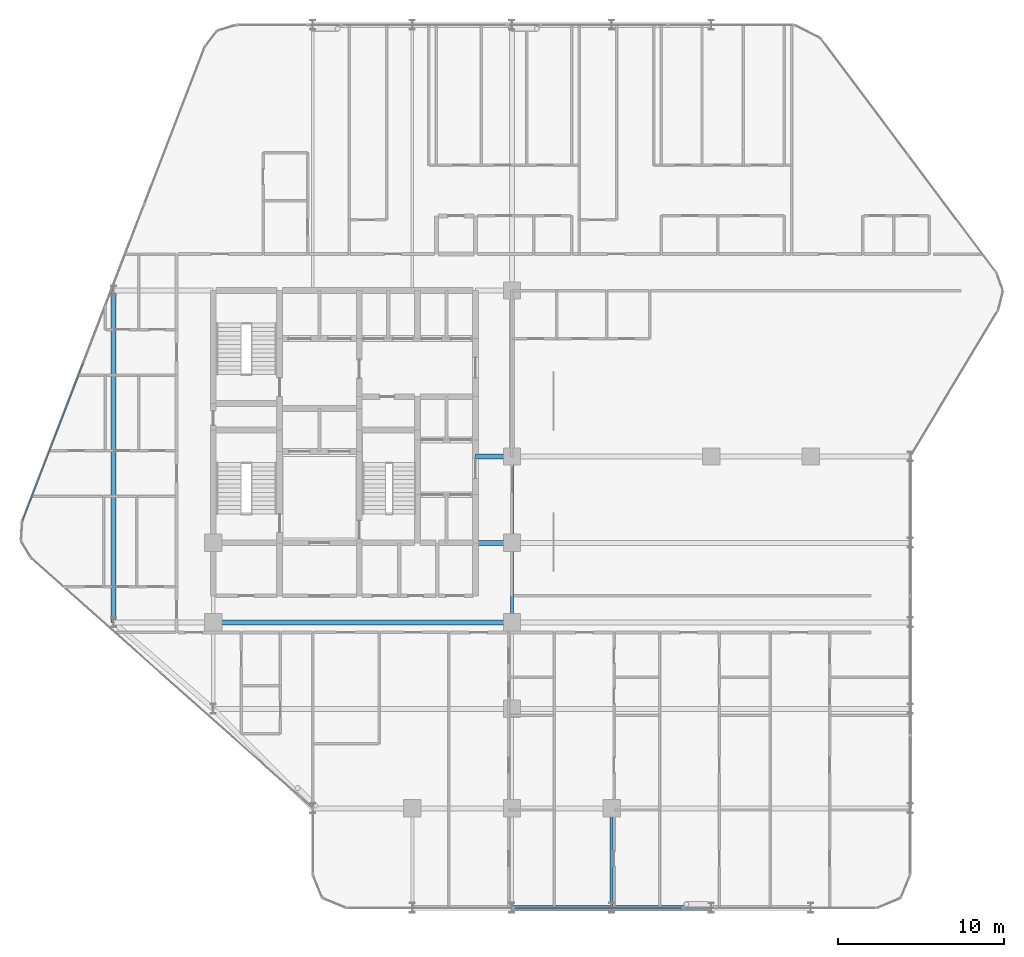
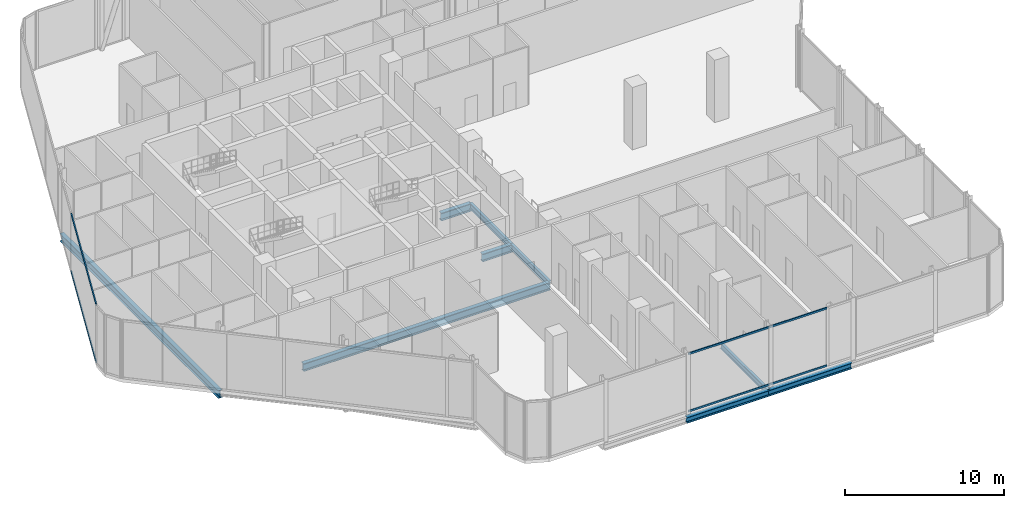
# One storey, part 7 of 29: 9 beams, 4 members, 2 elements without a shape of their own.
"""IFC4 building model written with IfcOpenShell, lengths in metres."""

from ifc_helpers import new_model, si_unit, direction, frame, origin, origin_2d, place, context, subcontext, project, spatial, hollow_rectangle, i_section, extrude, material, layer, layer_set, material_profile, profile_set, type_object, element, aggregate, save


model = new_model("IFC4")

# Units and contexts
model_context = context("Model", 3, precision=1e-05, world=origin(), true_north=direction((0.0, 1.0)))
body_context = subcontext(model_context, "Body", "Model", "MODEL_VIEW")
ifc_project = project(units=[si_unit("LENGTHUNIT", "METRE"), si_unit("AREAUNIT", "SQUARE_METRE"), si_unit("VOLUMEUNIT", "CUBIC_METRE"), si_unit("PLANEANGLEUNIT", "RADIAN"), si_unit("MASSUNIT", "GRAM", prefix="KILO")], contexts=[model_context])

# Site, building, storey
site_placement = place(None, origin())
site = spatial("IfcSite", under=ifc_project, at=site_placement, CompositionType="ELEMENT")
building_placement = place(site_placement, origin())
building = spatial("IfcBuilding", under=site, at=building_placement, Name="Keshet Zoharim Tower", CompositionType="ELEMENT")
storey_placement = place(building_placement, frame((0.0, 0.0, 120.5)))
storey = spatial("IfcBuildingStorey", under=building, at=storey_placement, Name="L29", CompositionType="ELEMENT", Elevation=120.5)

# Beams
ifc_material_1 = material(Name="Steel S355", Category="steel")
ifc_material_profile_1 = material_profile(ifc_material_1, i_section(OverallWidth=0.300048828125, OverallDepth=0.60009765625, WebThickness=0.015380859375, FlangeThickness=0.030029296875, FilletRadius=0.027099609375, at=origin_2d()), Name="HEB600")
ifc_profile_set_1 = profile_set([ifc_material_profile_1], Name="Steel S355")
beam_type_1 = type_object("IfcBeamType", Name="BM-CLK-HB600", PredefinedType="BEAM", material=ifc_profile_set_1)
for number, where, z_axis, x_axis, name in (
    (1, (30.800048828125, 22.699951171875, -0.6201171875), (1.0, 0.0, 0.0), (0.0, 1.0, 0.0), "L29 Core Wall Link Girder 01"),
    (2, (30.800048828125, 27.89990234375, -0.6201171875), (1.0, 0.0, 0.0), (0.0, 1.0, 0.0), "L29 Core Wall Link Girder 02"),
):
    element("IfcBeam", number, at=place(storey_placement, frame(where, z_axis=z_axis, x_axis=x_axis)), inside=storey, type_object=beam_type_1, Name=name, PredefinedType="BEAM", context=body_context, shape_type="SweptSolid", body=[
        extrude(i_section(OverallWidth=0.300048828125, OverallDepth=0.60009765625, WebThickness=0.015380859375, FlangeThickness=0.030029296875, FilletRadius=0.027099609375, at=origin_2d()), origin(), (0.0, 0.0, 1.0), 2.199951171875),
    ])
ifc_material_profile_2 = material_profile(ifc_material_1, i_section(OverallWidth=0.300048828125, OverallDepth=0.60009765625, WebThickness=0.015380859375, FlangeThickness=0.030029296875, FilletRadius=0.027099609375, at=origin_2d()), Name="HEB600")
ifc_profile_set_2 = profile_set([ifc_material_profile_2], Name="Steel S355")
beam_type_2 = type_object("IfcBeamType", Name="BM-LNG-HB600", PredefinedType="BEAM", material=ifc_profile_set_2)
beam_1_placement = place(storey_placement, frame((15.0, 17.89990234375, -0.6201171875), z_axis=(1.0, 0.0, 0.0), x_axis=(0.0, 1.0, 0.0)))
element("IfcBeam", 3, at=beam_1_placement, inside=storey, type_object=beam_type_2, Name="L29 Primary Girder X-012", PredefinedType="BEAM", context=body_context, shape_type="SweptSolid", body=[
    extrude(i_section(OverallWidth=0.300048828125, OverallDepth=0.60009765625, WebThickness=0.015380859375, FlangeThickness=0.030029296875, FilletRadius=0.027099609375, at=origin_2d()), origin(), (0.0, 0.0, 1.0), 18.0),
])
beam_2_placement = place(storey_placement, frame((9.0, 17.89990234375, -0.6201171875), z_axis=(0.0, 1.0, 0.0), x_axis=(-1.0, 0.0, 0.0)))
element("IfcBeam", 4, at=beam_2_placement, inside=storey, type_object=beam_type_2, Name="L29 Primary Girder Y-001", PredefinedType="BEAM", context=body_context, shape_type="SweptSolid", body=[
    extrude(i_section(OverallWidth=0.300048828125, OverallDepth=0.60009765625, WebThickness=0.015380859375, FlangeThickness=0.030029296875, FilletRadius=0.027099609375, at=origin_2d()), origin(), (0.0, 0.0, 1.0), 20.0),
])
ifc_material_profile_3 = material_profile(ifc_material_1, i_section(OverallWidth=0.18994140625, OverallDepth=0.449951171875, WebThickness=0.009521484375, FlangeThickness=0.0146484375, FilletRadius=0.02099609375, at=origin_2d()), Name="IPE450")
ifc_profile_set_3 = profile_set([ifc_material_profile_3], Name="Steel S355")
beam_type_3 = type_object("IfcBeamType", Name="BM-PRI-IP450", PredefinedType="BEAM", material=ifc_profile_set_3)
beam_3_placement = place(storey_placement, frame((33.0, 17.89990234375, -0.544921875), z_axis=(0.0, 1.0, 0.0), x_axis=(-1.0, 0.0, 0.0)))
element("IfcBeam", 5, at=beam_3_placement, inside=storey, type_object=beam_type_3, Name="L29 Primary Girder Y-008", PredefinedType="BEAM", context=body_context, shape_type="SweptSolid", body=[
    extrude(i_section(OverallWidth=0.18994140625, OverallDepth=0.449951171875, WebThickness=0.009521484375, FlangeThickness=0.0146484375, FilletRadius=0.02099609375, at=origin_2d()), origin(), (0.0, 0.0, 1.0), 4.800048828125),
])
beam_4_placement = place(storey_placement, frame((33.0, 22.699951171875, -0.544921875), z_axis=(0.0, 1.0, 0.0), x_axis=(-1.0, 0.0, 0.0)))
element("IfcBeam", 6, at=beam_4_placement, inside=storey, type_object=beam_type_3, Name="L29 Primary Girder Y-009", PredefinedType="BEAM", context=body_context, shape_type="SweptSolid", body=[
    extrude(i_section(OverallWidth=0.18994140625, OverallDepth=0.449951171875, WebThickness=0.009521484375, FlangeThickness=0.0146484375, FilletRadius=0.02099609375, at=origin_2d()), origin(), (0.0, 0.0, 1.0), 5.199951171875),
])
beam_5_placement = place(storey_placement, frame((39.0, 0.699951171875, -0.544921875), z_axis=(0.0, 1.0, 0.0), x_axis=(-1.0, 0.0, 0.0)))
element("IfcBeam", 7, at=beam_5_placement, inside=storey, type_object=beam_type_3, Name="L29 Primary Girder Y-012", PredefinedType="BEAM", context=body_context, shape_type="SweptSolid", body=[
    extrude(i_section(OverallWidth=0.18994140625, OverallDepth=0.449951171875, WebThickness=0.009521484375, FlangeThickness=0.0146484375, FilletRadius=0.02099609375, at=origin_2d()), origin(), (0.0, 0.0, 1.0), 6.0),
])
ifc_material_profile_4 = material_profile(ifc_material_1, i_section(OverallWidth=0.300048828125, OverallDepth=0.449951171875, WebThickness=0.013916015625, FlangeThickness=0.02587890625, FilletRadius=0.027099609375, at=origin_2d()), Name="HEB450")
ifc_profile_set_4 = profile_set([ifc_material_profile_4], Name="Steel S355")
beam_type_4 = type_object("IfcBeamType", Name="BM-WEB-HB450", PredefinedType="BEAM", material=ifc_profile_set_4)
for number, where, z_axis, x_axis, name in (
    (8, (33.0, 0.699951171875, -0.544921875), (1.0, 0.0, 0.0), (0.0, 1.0, 0.0), "L29 Primary Girder X-002"),
    (9, (39.0, 0.699951171875, -0.544921875), (1.0, 0.0, 0.0), (0.0, 1.0, 0.0), "L29 Primary Girder X-003"),
):
    element("IfcBeam", number, at=place(storey_placement, frame(where, z_axis=z_axis, x_axis=x_axis)), inside=storey, type_object=beam_type_4, Name=name, PredefinedType="BEAM", context=body_context, shape_type="SweptSolid", body=[
        extrude(i_section(OverallWidth=0.300048828125, OverallDepth=0.449951171875, WebThickness=0.013916015625, FlangeThickness=0.02587890625, FilletRadius=0.027099609375, at=origin_2d()), origin(), (0.0, 0.0, 1.0), 6.0),
    ])

# Curtain wall, members
ifc_material_2 = material(Name="Aluminium 6063-T6", Category="aluminium")
ifc_layer = layer(ifc_material_2, 0.14990234375)
ifc_layer_set = layer_set([ifc_layer], Name="Aluminium 6063-T6")
curtain_wall_type = type_object("IfcCurtainWallType", Name="CW-SYS-04", PredefinedType="NOTDEFINED", material=ifc_layer_set)
curtain_wall_1_placement = place(storey_placement, origin())
curtain_wall_1 = element("IfcCurtainWall", 10, at=curtain_wall_1_placement, inside=storey, type_object=curtain_wall_type, Name="L29 Unitised Curtain Wall 03 Part 3", PredefinedType="NOTDEFINED")
ifc_material_profile_5 = material_profile(ifc_material_2, hollow_rectangle(XDim=0.080078125, YDim=0.139892578125, WallThickness=0.00390625, at=origin_2d()), Name="TRN-80x140")
ifc_profile_set_5 = profile_set([ifc_material_profile_5], Name="Aluminium 6063-T6")
member_type = type_object("IfcMemberType", Name="CWT-T14", PredefinedType="USERDEFINED", material=ifc_profile_set_5)
member_1_placement = place(storey_placement, frame((43.246337890625, 0.699951171875, 0.034912109375), z_axis=(-1.0, 0.0, 0.0), x_axis=(0.0, -1.0, 0.0)))
member_1 = element("IfcMember", 11, at=member_1_placement, type_object=member_type, Name="CW-04 transom 1.1", ObjectType="TRANSOM", PredefinedType="USERDEFINED", context=body_context, shape_type="SweptSolid", body=[
    extrude(hollow_rectangle(XDim=0.080078125, YDim=0.139892578125, WallThickness=0.00390625, at=origin_2d()), origin(), (0.0, 0.0, 1.0), 10.088134765625),
])
member_2_placement = place(storey_placement, frame((43.246337890625, 0.699951171875, 4.445068359375), z_axis=(-1.0, 0.0, 0.0), x_axis=(0.0, -1.0, 0.0)))
member_2 = element("IfcMember", 12, at=member_2_placement, type_object=member_type, Name="CW-04 transom 1.2", ObjectType="TRANSOM", PredefinedType="USERDEFINED", context=body_context, shape_type="SweptSolid", body=[
    extrude(hollow_rectangle(XDim=0.080078125, YDim=0.139892578125, WallThickness=0.00390625, at=origin_2d()), origin(), (0.0, 0.0, 1.0), 10.088134765625),
])
aggregate(curtain_wall_1, [member_1, member_2])

curtain_wall_2_placement = place(storey_placement, origin())
curtain_wall_2 = element("IfcCurtainWall", 13, at=curtain_wall_2_placement, inside=storey, type_object=curtain_wall_type, Name="L29 Unitised Curtain Wall 10", PredefinedType="NOTDEFINED")
member_3_placement = place(storey_placement, frame((3.522216796875, 24.058349609375, 0.034912109375), z_axis=(0.358993631387, 0.93334000912, 0.0), x_axis=(-0.93334000912, 0.358993631387, 0.0)))
member_3 = element("IfcMember", 14, at=member_3_placement, type_object=member_type, Name="CW-04 transom 1.1", ObjectType="TRANSOM", PredefinedType="USERDEFINED", context=body_context, shape_type="SweptSolid", body=[
    extrude(hollow_rectangle(XDim=0.080078125, YDim=0.139892578125, WallThickness=0.00390625, at=origin_2d()), origin(), (0.0, 0.0, 1.0), 10.1181640625),
])
member_4_placement = place(storey_placement, frame((3.522216796875, 24.058349609375, 4.445068359375), z_axis=(0.358993631387, 0.93334000912, 0.0), x_axis=(-0.93334000912, 0.358993631387, 0.0)))
member_4 = element("IfcMember", 15, at=member_4_placement, type_object=member_type, Name="CW-04 transom 1.2", ObjectType="TRANSOM", PredefinedType="USERDEFINED", context=body_context, shape_type="SweptSolid", body=[
    extrude(hollow_rectangle(XDim=0.080078125, YDim=0.139892578125, WallThickness=0.00390625, at=origin_2d()), origin(), (0.0, 0.0, 1.0), 10.1181640625),
])
aggregate(curtain_wall_2, [member_3, member_4])

save(model, "model.ifc")
